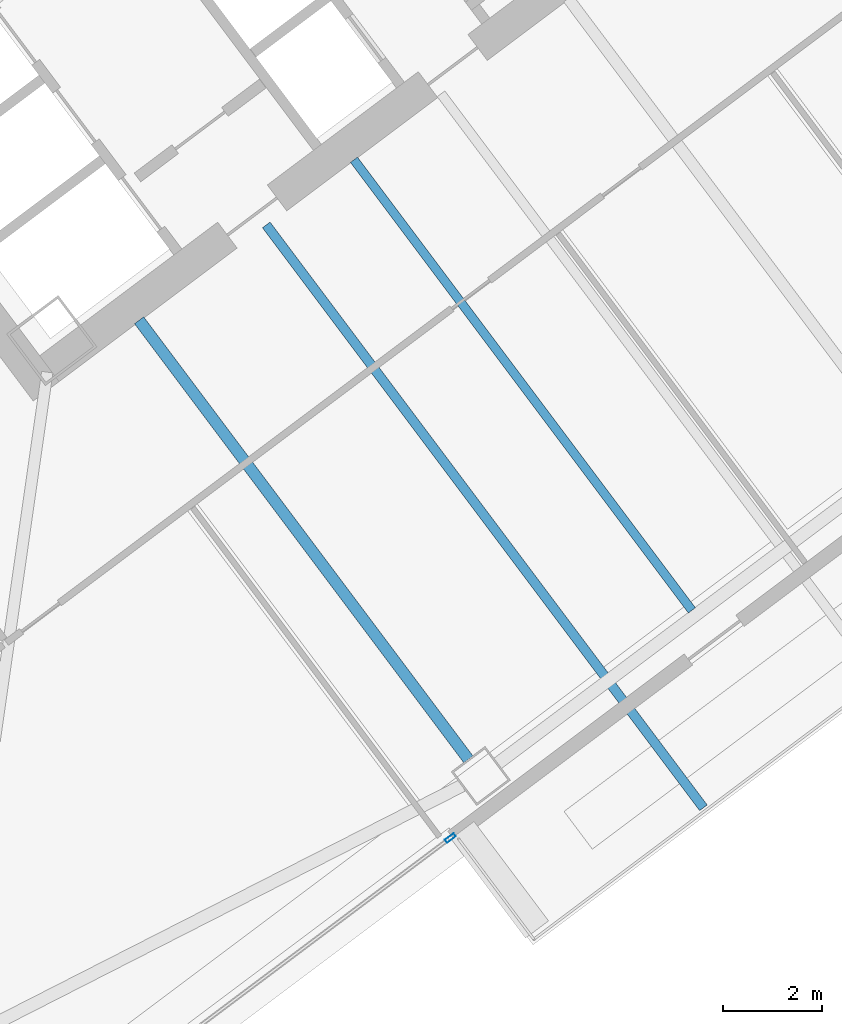
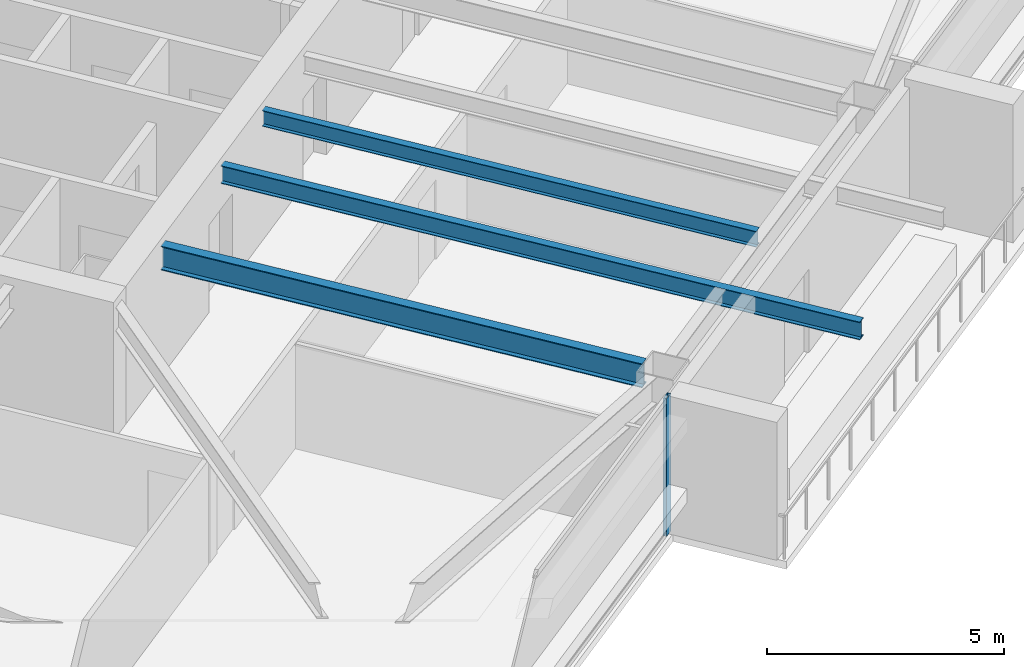
# One storey, part 23 of 44: 3 beams, 1 member, 1 element without a shape of its own.
"""IFC4 building model written with IfcOpenShell, lengths in metres."""

from ifc_helpers import new_model, si_unit, direction, frame, origin, origin_2d, place, context, subcontext, project, spatial, hollow_rectangle, i_section, extrude, material, material_profile, profile_set, type_object, element, aggregate, save


model = new_model("IFC4")

# Units and contexts
model_context = context("Model", 3, precision=1e-05, world=origin(), true_north=direction((0.0, 1.0)))
body_context = subcontext(model_context, "Body", "Model", "MODEL_VIEW")
ifc_project = project(units=[si_unit("LENGTHUNIT", "METRE"), si_unit("AREAUNIT", "SQUARE_METRE"), si_unit("VOLUMEUNIT", "CUBIC_METRE"), si_unit("PLANEANGLEUNIT", "RADIAN"), si_unit("MASSUNIT", "GRAM", prefix="KILO")], contexts=[model_context])

# Site, building, storey
site_placement = place(None, origin())
site = spatial("IfcSite", under=ifc_project, at=site_placement, CompositionType="ELEMENT")
building_placement = place(site_placement, origin())
building = spatial("IfcBuilding", under=site, at=building_placement, Name="Tashvorn Skyway Center", CompositionType="ELEMENT")
storey_placement = place(building_placement, frame((0.0, 0.0, 102.699951171875)))
storey = spatial("IfcBuildingStorey", under=building, at=storey_placement, Name="L27", CompositionType="ELEMENT", Elevation=102.699951171875)

# Beams
ifc_material_1 = material(Name="Steel ASTM A992 Grade 50", Category="steel")
ifc_material_profile_1 = material_profile(ifc_material_1, i_section(OverallWidth=0.22998046875, OverallDepth=0.616943359375, WebThickness=0.01318359375, FlangeThickness=0.022216796875, at=origin_2d()), Name="W24X94")
ifc_profile_set_1 = profile_set([ifc_material_profile_1], Name="Steel ASTM A992 Grade 50")
beam_type_1 = type_object("IfcBeamType", Name="BM-BEAM-W24X94", PredefinedType="BEAM", material=ifc_profile_set_1)
beam_1_placement = place(storey_placement, frame((120.97802734375, 13.696044921875, 3.04150390625), z_axis=(-0.60001414024, 0.799989394625, 0.0), x_axis=(-0.799989394625, -0.60001414024, 0.0)))
element("IfcBeam", 1, at=beam_1_placement, inside=storey, type_object=beam_type_1, Name="Tower 2 L27 Primary Floor Girder FC-S1", PredefinedType="BEAM", context=body_context, shape_type="SweptSolid", body=[
    extrude(i_section(OverallWidth=0.22998046875, OverallDepth=0.616943359375, WebThickness=0.01318359375, FlangeThickness=0.022216796875, at=origin_2d()), origin(), (0.0, 0.0, 1.0), 11.050048828125),
])
ifc_material_profile_2 = material_profile(ifc_material_1, i_section(OverallWidth=0.177978515625, OverallDepth=0.406005859375, WebThickness=0.0078125, FlangeThickness=0.0126953125, at=origin_2d()), Name="W16X40")
ifc_profile_set_2 = profile_set([ifc_material_profile_2], Name="Steel ASTM A992 Grade 50")
beam_type_2 = type_object("IfcBeamType", Name="BM-JOIST-W16X40", PredefinedType="JOIST", material=ifc_profile_set_2)
beam_2_placement = place(storey_placement, frame((118.674072265625, 25.76806640625, 3.14697265625), z_axis=(0.599996555327, -0.800002583493, 0.0), x_axis=(0.800002583493, 0.599996555327, 0.0)))
element("IfcBeam", 2, at=beam_2_placement, inside=storey, type_object=beam_type_2, Name="Tower 2 L27 Secondary Composite Joist JS", PredefinedType="JOIST", context=body_context, shape_type="SweptSolid", body=[
    extrude(i_section(OverallWidth=0.177978515625, OverallDepth=0.406005859375, WebThickness=0.0078125, FlangeThickness=0.0126953125, at=origin_2d()), origin(), (0.0, 0.0, 1.0), 11.340087890625),
])
ifc_material_profile_3 = material_profile(ifc_material_1, i_section(OverallWidth=0.19091796875, OverallDepth=0.4599609375, WebThickness=0.010009765625, FlangeThickness=0.01611328125, at=origin_2d()), Name="W18X55")
ifc_profile_set_3 = profile_set([ifc_material_profile_3], Name="Steel ASTM A992 Grade 50")
beam_type_3 = type_object("IfcBeamType", Name="BM-JOIST-W18X55", PredefinedType="JOIST", material=ifc_profile_set_3)
beam_3_placement = place(storey_placement, frame((116.907958984375, 24.4560546875, 3.1201171875), z_axis=(0.599997337262, -0.800001997047, 0.0), x_axis=(0.800001997047, 0.599997337262, 0.0)))
element("IfcBeam", 3, at=beam_3_placement, inside=storey, type_object=beam_type_3, Name="Tower 2 L28 Terrace Cantilever Outlooker 1", PredefinedType="JOIST", context=body_context, shape_type="SweptSolid", body=[
    extrude(i_section(OverallWidth=0.19091796875, OverallDepth=0.4599609375, WebThickness=0.010009765625, FlangeThickness=0.01611328125, at=origin_2d()), origin(), (0.0, 0.0, 1.0), 14.670166015625),
])

# Curtain wall, member
ifc_material_2 = material(Name="Thermally broken bronze-anodized aluminium 6063-T6", Category="aluminium")
curtain_wall_type = type_object("IfcCurtainWallType", Name="CW-CW-Z2", PredefinedType="NOTDEFINED", material=ifc_material_2)
curtain_wall_placement = place(storey_placement, origin())
curtain_wall = element("IfcCurtainWall", 4, at=curtain_wall_placement, inside=storey, type_object=curtain_wall_type, Name="Tower 2 L27 South Curtain Wall R", PredefinedType="NOTDEFINED")
ifc_material_profile_4 = material_profile(ifc_material_2, hollow_rectangle(XDim=0.080078125, YDim=0.219970703125, WallThickness=0.0048828125, at=origin_2d()), Name="ALU-MULL-80x220")
ifc_profile_set_4 = profile_set([ifc_material_profile_4], Name="Thermally broken bronze-anodized aluminium 6063-T6")
member_type = type_object("IfcMemberType", Name="CWM-CW-Z2", PredefinedType="MULLION", material=ifc_profile_set_4)
member_placement = place(storey_placement, frame((120.615966796875, 12.112060546875, 0.0), z_axis=(0.0, 0.0, 1.0), x_axis=(0.600000000002, -0.799999999998, 0.0)))
member = element("IfcMember", 5, at=member_placement, type_object=member_type, Name="CW-Z2 mullion 1", PredefinedType="MULLION", context=body_context, shape_type="SweptSolid", body=[
    extrude(hollow_rectangle(XDim=0.080078125, YDim=0.219970703125, WallThickness=0.0048828125, at=origin_2d()), origin(), (0.0, 0.0, 1.0), 3.550048828125),
])
aggregate(curtain_wall, [member])

save(model, "model.ifc")
